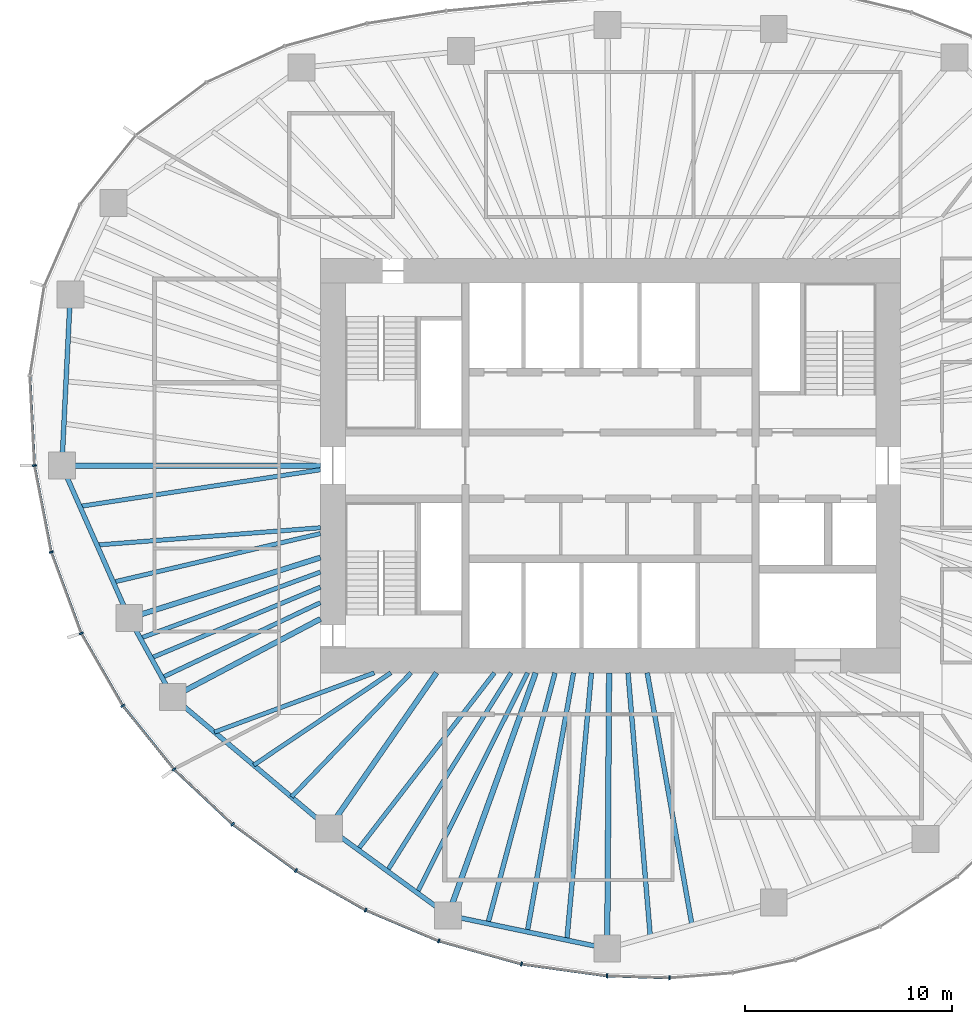
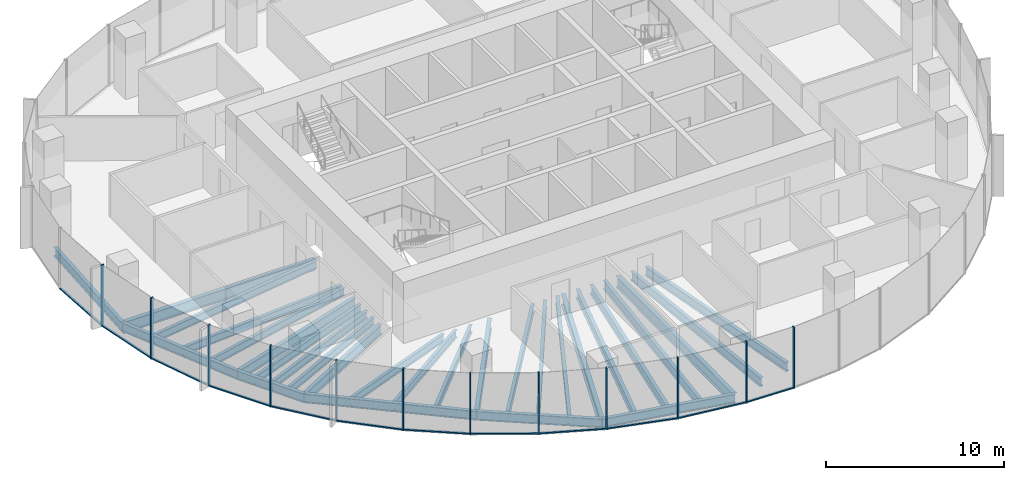
# One storey, part 2 of 12: 29 beams, 24 members, 7 elements without a shape of their own.
"""IFC4 building model written with IfcOpenShell, lengths in metres."""

from ifc_helpers import new_model, si_unit, direction, frame, origin, origin_2d, place, context, subcontext, project, spatial, rectangle, i_section, extrude, material, material_profile, profile_set, type_object, element, aggregate, save


model = new_model("IFC4")

# Units and contexts
model_context = context("Model", 3, precision=1e-05, world=origin(), true_north=direction((0.0, 1.0)))
body_context = subcontext(model_context, "Body", "Model", "MODEL_VIEW")
ifc_project = project(units=[si_unit("LENGTHUNIT", "METRE"), si_unit("AREAUNIT", "SQUARE_METRE"), si_unit("VOLUMEUNIT", "CUBIC_METRE"), si_unit("PLANEANGLEUNIT", "RADIAN"), si_unit("MASSUNIT", "GRAM", prefix="KILO")], contexts=[model_context])

# Site, building, storey
site_placement = place(None, origin())
site = spatial("IfcSite", under=ifc_project, at=site_placement, CompositionType="ELEMENT")
building_placement = place(site_placement, origin())
building = spatial("IfcBuilding", under=site, at=building_placement, Name="Ghaith Harvest Tower", CompositionType="ELEMENT")
storey_placement = place(building_placement, frame((0.0, 0.0, 228.39990234375)))
storey = spatial("IfcBuildingStorey", under=building, at=storey_placement, Name="L50", CompositionType="ELEMENT", Elevation=228.39990234375)

# Curtain wall, members
ifc_material_1 = material(Name="Black anodised aluminium and fritted glass", Category="aluminium")
curtain_wall_type = type_object("IfcCurtainWallType", Name="CW-H CURTAIN WALL", PredefinedType="NOTDEFINED", material=ifc_material_1)
curtain_wall_1_placement = place(storey_placement, origin())
curtain_wall_1 = element("IfcCurtainWall", 1, at=curtain_wall_1_placement, inside=storey, type_object=curtain_wall_type, Name="Curtain wall CW-H bay 11 L50", PredefinedType="NOTDEFINED")
ifc_material_2 = material(Name="Aluminium, black anodised", Category="aluminium")
ifc_material_profile_1 = material_profile(ifc_material_2, rectangle(XDim=0.080078125, YDim=0.199951171875, at=origin_2d()), Name="CW-H MULLION 80x200")
ifc_profile_set_1 = profile_set([ifc_material_profile_1], Name="Aluminium, black anodised")
member_type_1 = type_object("IfcMemberType", Name="CW-H MULLION 80x200", PredefinedType="MULLION", material=ifc_profile_set_1)
member_1_placement = place(storey_placement, frame((-27.794921875, 0.0, 0.0), z_axis=(0.0, 0.0, 1.0), x_axis=(0.12024996575, -0.992743645528, 0.0)))
member_1 = element("IfcMember", 2, at=member_1_placement, type_object=member_type_1, Name="CW-H mullion 1 bay 11 L50", PredefinedType="MULLION", context=body_context, shape_type="SweptSolid", body=[
    extrude(rectangle(XDim=0.080078125, YDim=0.199951171875, at=origin_2d()), origin(), (0.0, 0.0, 1.0), 4.2001953125),
])
member_2_placement = place(storey_placement, frame((-26.9853515625, -4.173828125, 0.0), z_axis=(0.0, 0.0, 1.0), x_axis=(0.268568830903, -0.963260495955, 0.0)))
member_2 = element("IfcMember", 3, at=member_2_placement, type_object=member_type_1, Name="CW-H mullion 2 bay 11 L50", PredefinedType="MULLION", context=body_context, shape_type="SweptSolid", body=[
    extrude(rectangle(XDim=0.080078125, YDim=0.199951171875, at=origin_2d()), origin(), (0.0, 0.0, 1.0), 4.2001953125),
])

curtain_wall_2_placement = place(storey_placement, origin())
curtain_wall_2 = element("IfcCurtainWall", 4, at=curtain_wall_2_placement, inside=storey, type_object=curtain_wall_type, Name="Curtain wall CW-H bay 12 L50", PredefinedType="NOTDEFINED")
member_3_placement = place(storey_placement, frame((-25.538330078125, -8.093505859375, 0.0), z_axis=(0.0, 0.0, 1.0), x_axis=(0.422308650185, -0.906452096903, 0.0)))
member_3 = element("IfcMember", 5, at=member_3_placement, type_object=member_type_1, Name="CW-H mullion 1 bay 12 L50", PredefinedType="MULLION", context=body_context, shape_type="SweptSolid", body=[
    extrude(rectangle(XDim=0.080078125, YDim=0.199951171875, at=origin_2d()), origin(), (0.0, 0.0, 1.0), 4.2001953125),
])
member_4_placement = place(storey_placement, frame((-23.533203125, -11.58349609375, 0.0), z_axis=(0.0, 0.0, 1.0), x_axis=(0.563616546013, -0.826036554312, 0.0)))
member_4 = element("IfcMember", 6, at=member_4_placement, type_object=member_type_1, Name="CW-H mullion 2 bay 12 L50", PredefinedType="MULLION", context=body_context, shape_type="SweptSolid", body=[
    extrude(rectangle(XDim=0.080078125, YDim=0.199951171875, at=origin_2d()), origin(), (0.0, 0.0, 1.0), 4.2001953125),
])

curtain_wall_3_placement = place(storey_placement, origin())
curtain_wall_3 = element("IfcCurtainWall", 7, at=curtain_wall_3_placement, inside=storey, type_object=curtain_wall_type, Name="Curtain wall CW-H bay 13 L50", PredefinedType="NOTDEFINED")
member_5_placement = place(storey_placement, frame((-21.0615234375, -14.65478515625, 0.0), z_axis=(0.0, 0.0, 1.0), x_axis=(0.679181589754, -0.733970277422, 0.0)))
member_5 = element("IfcMember", 8, at=member_5_placement, type_object=member_type_1, Name="CW-H mullion 1 bay 13 L50", PredefinedType="MULLION", context=body_context, shape_type="SweptSolid", body=[
    extrude(rectangle(XDim=0.080078125, YDim=0.199951171875, at=origin_2d()), origin(), (0.0, 0.0, 1.0), 4.2001953125),
])
member_6_placement = place(storey_placement, frame((-18.238037109375, -17.30615234375, 0.0), z_axis=(0.0, 0.0, 1.0), x_axis=(0.769216709506, -0.638987991919, 0.0)))
member_6 = element("IfcMember", 9, at=member_6_placement, type_object=member_type_1, Name="CW-H mullion 2 bay 13 L50", PredefinedType="MULLION", context=body_context, shape_type="SweptSolid", body=[
    extrude(rectangle(XDim=0.080078125, YDim=0.199951171875, at=origin_2d()), origin(), (0.0, 0.0, 1.0), 4.2001953125),
])

curtain_wall_4_placement = place(storey_placement, origin())
curtain_wall_4 = element("IfcCurtainWall", 10, at=curtain_wall_4_placement, inside=storey, type_object=curtain_wall_type, Name="Curtain wall CW-H bay 14 L50", PredefinedType="NOTDEFINED")
member_7_placement = place(storey_placement, frame((-15.177490234375, -19.542724609375, 0.0), z_axis=(0.0, 0.0, 1.0), x_axis=(0.840233591157, -0.5422245958, 0.0)))
member_7 = element("IfcMember", 11, at=member_7_placement, type_object=member_type_1, Name="CW-H mullion 1 bay 14 L50", PredefinedType="MULLION", context=body_context, shape_type="SweptSolid", body=[
    extrude(rectangle(XDim=0.080078125, YDim=0.199951171875, at=origin_2d()), origin(), (0.0, 0.0, 1.0), 4.2001953125),
])
member_8_placement = place(storey_placement, frame((-11.815185546875, -21.45068359375, 0.0), z_axis=(0.0, 0.0, 1.0), x_axis=(0.896852966189, -0.442328788389, 0.0)))
member_8 = element("IfcMember", 12, at=member_8_placement, type_object=member_type_1, Name="CW-H mullion 2 bay 14 L50", PredefinedType="MULLION", context=body_context, shape_type="SweptSolid", body=[
    extrude(rectangle(XDim=0.080078125, YDim=0.199951171875, at=origin_2d()), origin(), (0.0, 0.0, 1.0), 4.2001953125),
])

curtain_wall_5_placement = place(storey_placement, origin())
curtain_wall_5 = element("IfcCurtainWall", 13, at=curtain_wall_5_placement, inside=storey, type_object=curtain_wall_type, Name="Curtain wall CW-H bay 15 L50", PredefinedType="NOTDEFINED")
member_9_placement = place(storey_placement, frame((-8.285888671875, -22.941650390625, 0.0), z_axis=(0.0, 0.0, 1.0), x_axis=(0.944906041636, -0.327341675439, 0.0)))
member_9 = element("IfcMember", 14, at=member_9_placement, type_object=member_type_1, Name="CW-H mullion 1 bay 15 L50", PredefinedType="MULLION", context=body_context, shape_type="SweptSolid", body=[
    extrude(rectangle(XDim=0.080078125, YDim=0.199951171875, at=origin_2d()), origin(), (0.0, 0.0, 1.0), 4.2001953125),
])
member_10_placement = place(storey_placement, frame((-4.2958984375, -24.0556640625, 0.0), z_axis=(0.0, 0.0, 1.0), x_axis=(0.979161388311, -0.203083666601, 0.0)))
member_10 = element("IfcMember", 15, at=member_10_placement, type_object=member_type_1, Name="CW-H mullion 2 bay 15 L50", PredefinedType="MULLION", context=body_context, shape_type="SweptSolid", body=[
    extrude(rectangle(XDim=0.080078125, YDim=0.199951171875, at=origin_2d()), origin(), (0.0, 0.0, 1.0), 4.2001953125),
])

curtain_wall_6_placement = place(storey_placement, origin())
curtain_wall_6 = element("IfcCurtainWall", 16, at=curtain_wall_6_placement, inside=storey, type_object=curtain_wall_type, Name="Curtain wall CW-H bay 16 L50", PredefinedType="NOTDEFINED")
member_11_placement = place(storey_placement, frame((-0.16845703125, -24.625244140625, 0.0), z_axis=(0.0, 0.0, 1.0), x_axis=(0.99568459113, -0.092801912617, 0.0)))
member_11 = element("IfcMember", 17, at=member_11_placement, type_object=member_type_1, Name="CW-H mullion 1 bay 16 L50", PredefinedType="MULLION", context=body_context, shape_type="SweptSolid", body=[
    extrude(rectangle(XDim=0.080078125, YDim=0.199951171875, at=origin_2d()), origin(), (0.0, 0.0, 1.0), 4.2001953125),
])
member_12_placement = place(storey_placement, frame((2.84765625, -24.721435546875, 0.0), z_axis=(0.0, 0.0, 1.0), x_axis=(0.999724413906, 0.02347543907, 0.0)))
member_12 = element("IfcMember", 18, at=member_12_placement, type_object=member_type_1, Name="CW-H mullion 2 bay 16 L50", PredefinedType="MULLION", context=body_context, shape_type="SweptSolid", body=[
    extrude(rectangle(XDim=0.080078125, YDim=0.199951171875, at=origin_2d()), origin(), (0.0, 0.0, 1.0), 4.2001953125),
])

# Curtain wall, member
curtain_wall_7_placement = place(storey_placement, origin())
curtain_wall_7 = element("IfcCurtainWall", 19, at=curtain_wall_7_placement, inside=storey, type_object=curtain_wall_type, Name="Curtain wall CW-H bay 10 L50", PredefinedType="NOTDEFINED")
ifc_material_3 = material(Name="Aluminium, black anodised", Category="aluminium")
ifc_material_profile_2 = material_profile(ifc_material_3, rectangle(XDim=0.1298828125, YDim=0.080078125, at=origin_2d()), Name="CW-H TRANSOM 130x80")
ifc_profile_set_2 = profile_set([ifc_material_profile_2], Name="Aluminium, black anodised")
member_type_2 = type_object("IfcMemberType", Name="CW-H TRANSOM 130x80", PredefinedType="USERDEFINED", material=ifc_profile_set_2)
member_13_placement = place(storey_placement, frame((-28.013671875, 4.293212890625, 0.0400390625), z_axis=(0.05084969311, -0.998706317548, 0.0), x_axis=(0.998706317548, 0.05084969311, 0.0)))
member_13 = element("IfcMember", 20, at=member_13_placement, type_object=member_type_2, Name="CW-H transom 2 bay 10 L50", ObjectType="TRANSOM", PredefinedType="USERDEFINED", context=body_context, shape_type="SweptSolid", body=[
    extrude(rectangle(XDim=0.1298828125, YDim=0.080078125, at=origin_2d()), origin(), (0.0, 0.0, 1.0), 4.2587890625),
])
aggregate(curtain_wall_7, [member_13])

# Member
member_14_placement = place(storey_placement, frame((-27.787353515625, -0.039306640625, 0.0400390625), z_axis=(0.190440428338, -0.981698753821, 0.0), x_axis=(0.981698753821, 0.190440428338, 0.0)))
member_14 = element("IfcMember", 21, at=member_14_placement, type_object=member_type_2, Name="CW-H transom 1 bay 11 L50", ObjectType="TRANSOM", PredefinedType="USERDEFINED", context=body_context, shape_type="SweptSolid", body=[
    extrude(rectangle(XDim=0.1298828125, YDim=0.080078125, at=origin_2d()), origin(), (0.0, 0.0, 1.0), 4.171630859375),
])

member_15_placement = place(storey_placement, frame((-26.971435546875, -4.21142578125, 0.0400390625), z_axis=(0.346287782987, -0.93812833416, 0.0), x_axis=(0.93812833416, 0.346287782987, 0.0)))
member_15 = element("IfcMember", 22, at=member_15_placement, type_object=member_type_2, Name="CW-H transom 2 bay 11 L50", ObjectType="TRANSOM", PredefinedType="USERDEFINED", context=body_context, shape_type="SweptSolid", body=[
    extrude(rectangle(XDim=0.1298828125, YDim=0.080078125, at=origin_2d()), origin(), (0.0, 0.0, 1.0), 4.098388671875),
])

aggregate(curtain_wall_1, [member_1, member_14, member_2, member_15])

member_16_placement = place(storey_placement, frame((-25.5185546875, -8.128173828125, 0.0400390625), z_axis=(0.498176929488, -0.86707539864, 0.0), x_axis=(0.86707539864, 0.498176929488, 0.0)))
member_16 = element("IfcMember", 23, at=member_16_placement, type_object=member_type_2, Name="CW-H transom 1 bay 12 L50", ObjectType="TRANSOM", PredefinedType="USERDEFINED", context=body_context, shape_type="SweptSolid", body=[
    extrude(rectangle(XDim=0.1298828125, YDim=0.080078125, at=origin_2d()), origin(), (0.0, 0.0, 1.0), 3.945068359375),
])

member_17_placement = place(storey_placement, frame((-23.508056640625, -11.61474609375, 0.0400390625), z_axis=(0.626958878139, -0.779052350694, 0.0), x_axis=(0.779052350694, 0.626958878139, 0.0)))
member_17 = element("IfcMember", 24, at=member_17_placement, type_object=member_type_2, Name="CW-H transom 2 bay 12 L50", ObjectType="TRANSOM", PredefinedType="USERDEFINED", context=body_context, shape_type="SweptSolid", body=[
    extrude(rectangle(XDim=0.1298828125, YDim=0.080078125, at=origin_2d()), origin(), (0.0, 0.0, 1.0), 3.862060546875),
])

aggregate(curtain_wall_2, [member_3, member_16, member_4, member_17])

member_18_placement = place(storey_placement, frame((-21.032470703125, -14.68212890625, 0.0400390625), z_axis=(0.729025183709, -0.684486874613, 0.0), x_axis=(0.684486874613, 0.729025183709, 0.0)))
member_18 = element("IfcMember", 25, at=member_18_placement, type_object=member_type_2, Name="CW-H transom 1 bay 13 L50", ObjectType="TRANSOM", PredefinedType="USERDEFINED", context=body_context, shape_type="SweptSolid", body=[
    extrude(rectangle(XDim=0.1298828125, YDim=0.080078125, at=origin_2d()), origin(), (0.0, 0.0, 1.0), 3.793212890625),
])

member_19_placement = place(storey_placement, frame((-18.20556640625, -17.32958984375, 0.0400390625), z_axis=(0.807368217185, -0.590047931849, 0.0), x_axis=(0.590047931849, 0.807368217185, 0.0)))
member_19 = element("IfcMember", 26, at=member_19_placement, type_object=member_type_2, Name="CW-H transom 2 bay 13 L50", ObjectType="TRANSOM", PredefinedType="USERDEFINED", context=body_context, shape_type="SweptSolid", body=[
    extrude(rectangle(XDim=0.1298828125, YDim=0.080078125, at=origin_2d()), origin(), (0.0, 0.0, 1.0), 3.710693359375),
])

aggregate(curtain_wall_3, [member_5, member_18, member_6, member_19])

member_20_placement = place(storey_placement, frame((-15.142822265625, -19.5625, 0.0400390625), z_axis=(0.869735291487, -0.493518513068, 0.0), x_axis=(0.493518513068, 0.869735291487, 0.0)))
member_20 = element("IfcMember", 27, at=member_20_placement, type_object=member_type_2, Name="CW-H transom 1 bay 14 L50", ObjectType="TRANSOM", PredefinedType="USERDEFINED", context=body_context, shape_type="SweptSolid", body=[
    extrude(rectangle(XDim=0.1298828125, YDim=0.080078125, at=origin_2d()), origin(), (0.0, 0.0, 1.0), 3.785888671875),
])

member_21_placement = place(storey_placement, frame((-11.7783203125, -21.46630859375, 0.0400390625), z_axis=(0.921182691948, -0.38913037411, 0.0), x_axis=(0.38913037411, 0.921182691948, 0.0)))
member_21 = element("IfcMember", 28, at=member_21_placement, type_object=member_type_2, Name="CW-H transom 2 bay 14 L50", ObjectType="TRANSOM", PredefinedType="USERDEFINED", context=body_context, shape_type="SweptSolid", body=[
    extrude(rectangle(XDim=0.1298828125, YDim=0.080078125, at=origin_2d()), origin(), (0.0, 0.0, 1.0), 3.751220703125),
])

aggregate(curtain_wall_4, [member_7, member_20, member_8, member_21])

member_22_placement = place(storey_placement, frame((-8.24755859375, -22.952392578125, 0.0400390625), z_axis=(0.963164092269, -0.268914356932, 0.0), x_axis=(0.268914356932, 0.963164092269, 0.0)))
member_22 = element("IfcMember", 29, at=member_22_placement, type_object=member_type_2, Name="CW-H transom 1 bay 15 L50", ObjectType="TRANSOM", PredefinedType="USERDEFINED", context=body_context, shape_type="SweptSolid", body=[
    extrude(rectangle(XDim=0.1298828125, YDim=0.080078125, at=origin_2d()), origin(), (0.0, 0.0, 1.0), 4.062744140625),
])

member_23_placement = place(storey_placement, frame((-4.25634765625, -24.06103515625, 0.0400390625), z_axis=(0.990605228149, -0.136752630555, 0.0), x_axis=(0.136752630555, 0.990605228149, 0.0)))
member_23 = element("IfcMember", 30, at=member_23_placement, type_object=member_type_2, Name="CW-H transom 2 bay 15 L50", ObjectType="TRANSOM", PredefinedType="USERDEFINED", context=body_context, shape_type="SweptSolid", body=[
    extrude(rectangle(XDim=0.1298828125, YDim=0.080078125, at=origin_2d()), origin(), (0.0, 0.0, 1.0), 4.08642578125),
])

aggregate(curtain_wall_5, [member_9, member_22, member_10, member_23])

member_24_placement = place(storey_placement, frame((-0.128662109375, -24.62646484375, 0.0400390625), z_axis=(0.999490770233, -0.031909249731, 0.0), x_axis=(0.031909249731, 0.999490770233, 0.0)))
member_24 = element("IfcMember", 31, at=member_24_placement, type_object=member_type_2, Name="CW-H transom 1 bay 16 L50", ObjectType="TRANSOM", PredefinedType="USERDEFINED", context=body_context, shape_type="SweptSolid", body=[
    extrude(rectangle(XDim=0.1298828125, YDim=0.080078125, at=origin_2d()), origin(), (0.0, 0.0, 1.0), 2.93798828125),
])

aggregate(curtain_wall_6, [member_11, member_24, member_12])

# Beams
ifc_material_4 = material(Name="Steel ASTM A992 Grade 50", Category="steel")
ifc_material_profile_3 = material_profile(ifc_material_4, i_section(OverallWidth=0.22900390625, OverallDepth=0.612060546875, WebThickness=0.011962890625, FlangeThickness=0.01953125, at=origin_2d()), Name="W610X125")
ifc_profile_set_3 = profile_set([ifc_material_profile_3], Name="Steel ASTM A992 Grade 50")
beam_type_1 = type_object("IfcBeamType", Name="E610-125 W610X125", PredefinedType="SPANDREL", material=ifc_profile_set_3)
beam_1_placement = place(storey_placement, frame((-26.06689453125, 8.260986328125, -0.475830078125), z_axis=(-0.049353148492, -0.998781390863, 0.0), x_axis=(0.998781390863, -0.049353148492, 0.0)))
element("IfcBeam", 32, at=beam_1_placement, inside=storey, type_object=beam_type_1, Name="Edge beam E10 L50", PredefinedType="SPANDREL", context=body_context, shape_type="SweptSolid", body=[
    extrude(i_section(OverallWidth=0.22900390625, OverallDepth=0.612060546875, WebThickness=0.011962890625, FlangeThickness=0.01953125, at=origin_2d()), origin(), (0.0, 0.0, 1.0), 8.27099609375),
])
beam_2_placement = place(storey_placement, frame((-26.47509765625, 0.0, -0.475830078125), z_axis=(0.404042817399, -0.914740073304, 0.0), x_axis=(0.914740073304, 0.404042817399, 0.0)))
element("IfcBeam", 33, at=beam_2_placement, inside=storey, type_object=beam_type_1, Name="Edge beam E11 L50", PredefinedType="SPANDREL", context=body_context, shape_type="SweptSolid", body=[
    extrude(i_section(OverallWidth=0.22900390625, OverallDepth=0.612060546875, WebThickness=0.011962890625, FlangeThickness=0.01953125, at=origin_2d()), origin(), (0.0, 0.0, 1.0), 8.046142578125),
])
beam_3_placement = place(storey_placement, frame((-23.22412109375, -7.360107421875, -0.475830078125), z_axis=(0.482955575345, -0.875644855089, 0.0), x_axis=(0.875644855089, 0.482955575345, 0.0)))
element("IfcBeam", 34, at=beam_3_placement, inside=storey, type_object=beam_type_1, Name="Edge beam E12 L50", PredefinedType="SPANDREL", context=body_context, shape_type="SweptSolid", body=[
    extrude(i_section(OverallWidth=0.22900390625, OverallDepth=0.612060546875, WebThickness=0.011962890625, FlangeThickness=0.01953125, at=origin_2d()), origin(), (0.0, 0.0, 1.0), 4.346435546875),
])
beam_4_placement = place(storey_placement, frame((-21.125, -11.166015625, -0.475830078125), z_axis=(0.765021818761, -0.64400436087, 0.0), x_axis=(0.64400436087, 0.765021818761, 0.0)))
element("IfcBeam", 35, at=beam_4_placement, inside=storey, type_object=beam_type_1, Name="Edge beam E13 L50", PredefinedType="SPANDREL", context=body_context, shape_type="SweptSolid", body=[
    extrude(i_section(OverallWidth=0.22900390625, OverallDepth=0.612060546875, WebThickness=0.011962890625, FlangeThickness=0.01953125, at=origin_2d()), origin(), (0.0, 0.0, 1.0), 9.8427734375),
])
beam_5_placement = place(storey_placement, frame((-13.594970703125, -17.5048828125, -0.475830078125), z_axis=(0.808194782503, -0.588915268553, 0.0), x_axis=(0.588915268553, 0.808194782503, 0.0)))
element("IfcBeam", 36, at=beam_5_placement, inside=storey, type_object=beam_type_1, Name="Edge beam E14 L50", PredefinedType="SPANDREL", context=body_context, shape_type="SweptSolid", body=[
    extrude(i_section(OverallWidth=0.22900390625, OverallDepth=0.612060546875, WebThickness=0.011962890625, FlangeThickness=0.01953125, at=origin_2d()), origin(), (0.0, 0.0, 1.0), 7.123291015625),
])
beam_6_placement = place(storey_placement, frame((-7.837890625, -21.699951171875, -0.475830078125), z_axis=(0.978847910797, -0.20458926543, 0.0), x_axis=(0.20458926543, 0.978847910797, 0.0)))
element("IfcBeam", 37, at=beam_6_placement, inside=storey, type_object=beam_type_1, Name="Edge beam E15 L50", PredefinedType="SPANDREL", context=body_context, shape_type="SweptSolid", body=[
    extrude(i_section(OverallWidth=0.22900390625, OverallDepth=0.612060546875, WebThickness=0.011962890625, FlangeThickness=0.01953125, at=origin_2d()), origin(), (0.0, 0.0, 1.0), 7.844970703125),
])
ifc_material_5 = material(Name="Steel ASTM A992 Grade 50", Category="steel")
ifc_material_profile_4 = material_profile(ifc_material_5, i_section(OverallWidth=0.256103515625, OverallDepth=0.693115234375, WebThickness=0.014404296875, FlangeThickness=0.023681640625, at=origin_2d()), Name="W690X170")
ifc_profile_set_4 = profile_set([ifc_material_profile_4], Name="Steel ASTM A992 Grade 50")
beam_type_2 = type_object("IfcBeamType", Name="G690-170 W690X170", PredefinedType="BEAM", material=ifc_profile_set_4)
beam_7_placement = place(storey_placement, frame((-14.0, -4.43701171875, -0.516357421875), z_axis=(-0.953279028151, -0.302091202267, 0.0), x_axis=(0.302091202267, -0.953279028151, 0.0)))
element("IfcBeam", 38, at=beam_7_placement, inside=storey, type_object=beam_type_2, Name="Radial girder G12 L50", PredefinedType="BEAM", context=body_context, shape_type="SweptSolid", body=[
    extrude(i_section(OverallWidth=0.256103515625, OverallDepth=0.693115234375, WebThickness=0.014404296875, FlangeThickness=0.023681640625, at=origin_2d()), origin(), (0.0, 0.0, 1.0), 9.67626953125),
])
beam_8_placement = place(storey_placement, frame((-14.0, -7.39990234375, -0.516357421875), z_axis=(-0.88409279474, -0.46731138472, 0.0), x_axis=(0.46731138472, -0.88409279474, 0.0)))
element("IfcBeam", 39, at=beam_8_placement, inside=storey, type_object=beam_type_2, Name="Radial girder G13 L50", PredefinedType="BEAM", context=body_context, shape_type="SweptSolid", body=[
    extrude(i_section(OverallWidth=0.256103515625, OverallDepth=0.693115234375, WebThickness=0.014404296875, FlangeThickness=0.023681640625, at=origin_2d()), origin(), (0.0, 0.0, 1.0), 8.05908203125),
])
beam_9_placement = place(storey_placement, frame((-8.39990234375, -10.0, -0.516357421875), z_axis=(-0.569164078909, -0.822223966617, 0.0), x_axis=(0.822223966617, -0.569164078909, 0.0)))
element("IfcBeam", 40, at=beam_9_placement, inside=storey, type_object=beam_type_2, Name="Radial girder G14 L50", PredefinedType="BEAM", context=body_context, shape_type="SweptSolid", body=[
    extrude(i_section(OverallWidth=0.256103515625, OverallDepth=0.693115234375, WebThickness=0.014404296875, FlangeThickness=0.023681640625, at=origin_2d()), origin(), (0.0, 0.0, 1.0), 9.12744140625),
])
ifc_material_6 = material(Name="Steel ASTM A992 Grade 50", Category="steel")
ifc_material_profile_5 = material_profile(ifc_material_6, i_section(OverallWidth=0.26806640625, OverallDepth=0.77001953125, WebThickness=0.015625, FlangeThickness=0.025390625, at=origin_2d()), Name="W760X196")
ifc_profile_set_5 = profile_set([ifc_material_profile_5], Name="Steel ASTM A992 Grade 50")
beam_type_3 = type_object("IfcBeamType", Name="G760-196 W760X196", PredefinedType="BEAM", material=ifc_profile_set_5)
beam_10_placement = place(storey_placement, frame((-14.0, 0.0, -0.554931640625), z_axis=(-1.0, 0.0, 0.0), x_axis=(0.0, -1.0, 0.0)))
element("IfcBeam", 41, at=beam_10_placement, inside=storey, type_object=beam_type_3, Name="Radial girder G11 L50", PredefinedType="BEAM", context=body_context, shape_type="SweptSolid", body=[
    extrude(i_section(OverallWidth=0.26806640625, OverallDepth=0.77001953125, WebThickness=0.015625, FlangeThickness=0.025390625, at=origin_2d()), origin(), (0.0, 0.0, 1.0), 12.47509765625),
])
beam_11_placement = place(storey_placement, frame((-3.61181640625, -10.0, -0.554931640625), z_axis=(-0.339722108335, -0.940525857756, 0.0), x_axis=(0.940525857756, -0.339722108335, 0.0)))
element("IfcBeam", 42, at=beam_11_placement, inside=storey, type_object=beam_type_3, Name="Radial girder G15 L50", PredefinedType="BEAM", context=body_context, shape_type="SweptSolid", body=[
    extrude(i_section(OverallWidth=0.26806640625, OverallDepth=0.77001953125, WebThickness=0.015625, FlangeThickness=0.025390625, at=origin_2d()), origin(), (0.0, 0.0, 1.0), 12.439697265625),
])
beam_12_placement = place(storey_placement, frame((-0.068359375, -10.0, -0.554931640625), z_axis=(-0.00680755644, -0.999976828319, 0.0), x_axis=(0.999976828319, -0.00680755644, 0.0)))
element("IfcBeam", 43, at=beam_12_placement, inside=storey, type_object=beam_type_3, Name="Radial girder G16 L50", PredefinedType="BEAM", context=body_context, shape_type="SweptSolid", body=[
    extrude(i_section(OverallWidth=0.26806640625, OverallDepth=0.77001953125, WebThickness=0.015625, FlangeThickness=0.025390625, at=origin_2d()), origin(), (0.0, 0.0, 1.0), 13.30517578125),
])
ifc_material_7 = material(Name="Steel ASTM A992 Grade 50", Category="steel")
ifc_material_profile_6 = material_profile(ifc_material_7, i_section(OverallWidth=0.2109375, OverallDepth=0.5390625, WebThickness=0.01171875, FlangeThickness=0.018798828125, at=origin_2d()), Name="W530X109")
ifc_profile_set_6 = profile_set([ifc_material_profile_6], Name="Steel ASTM A992 Grade 50")
beam_type_4 = type_object("IfcBeamType", Name="J530-109 W530X109", PredefinedType="JOIST", material=ifc_profile_set_6)
beam_13_placement = place(storey_placement, frame((-14.0, -0.199951171875, -0.439453125), z_axis=(-0.988587077715, -0.150650555178, 0.0), x_axis=(0.150650555178, -0.988587077715, 0.0)))
element("IfcBeam", 44, at=beam_13_placement, inside=storey, type_object=beam_type_4, Name="Joist J11.1 L50", PredefinedType="JOIST", context=body_context, shape_type="SweptSolid", body=[
    extrude(i_section(OverallWidth=0.2109375, OverallDepth=0.5390625, WebThickness=0.01171875, FlangeThickness=0.018798828125, at=origin_2d()), origin(), (0.0, 0.0, 1.0), 11.739501953125),
])
beam_14_placement = place(storey_placement, frame((-14.0, -3.0, -0.439453125), z_axis=(-0.997028799301, -0.077029691443, 0.0), x_axis=(0.077029691443, -0.997028799301, 0.0)))
element("IfcBeam", 45, at=beam_14_placement, inside=storey, type_object=beam_type_4, Name="Joist J11.2 L50", PredefinedType="JOIST", context=body_context, shape_type="SweptSolid", body=[
    extrude(i_section(OverallWidth=0.2109375, OverallDepth=0.5390625, WebThickness=0.01171875, FlangeThickness=0.018798828125, at=origin_2d()), origin(), (0.0, 0.0, 1.0), 10.814208984375),
])
beam_15_placement = place(storey_placement, frame((-14.0, -3.280517578125, -0.439453125), z_axis=(-0.97362176086, -0.22816806696, 0.0), x_axis=(0.22816806696, -0.97362176086, 0.0)))
element("IfcBeam", 46, at=beam_15_placement, inside=storey, type_object=beam_type_4, Name="Joist J11.3 L50", PredefinedType="JOIST", context=body_context, shape_type="SweptSolid", body=[
    extrude(i_section(OverallWidth=0.2109375, OverallDepth=0.5390625, WebThickness=0.01171875, FlangeThickness=0.018798828125, at=origin_2d()), origin(), (0.0, 0.0, 1.0), 10.262451171875),
])
beam_16_placement = place(storey_placement, frame((-5.60009765625, -10.0, -0.439453125), z_axis=(-0.611412687895, -0.791311901264, 0.0), x_axis=(0.791311901264, -0.611412687895, 0.0)))
element("IfcBeam", 47, at=beam_16_placement, inside=storey, type_object=beam_type_4, Name="Joist J14.1 L50", PredefinedType="JOIST", context=body_context, shape_type="SweptSolid", body=[
    extrude(i_section(OverallWidth=0.2109375, OverallDepth=0.5390625, WebThickness=0.01171875, FlangeThickness=0.018798828125, at=origin_2d()), origin(), (0.0, 0.0, 1.0), 10.778076171875),
])
beam_17_placement = place(storey_placement, frame((-4.800048828125, -10.0, -0.439453125), z_axis=(-0.529921073682, -0.848046965484, 0.0), x_axis=(0.848046965484, -0.529921073682, 0.0)))
element("IfcBeam", 48, at=beam_17_placement, inside=storey, type_object=beam_type_4, Name="Joist J14.2 L50", PredefinedType="JOIST", context=body_context, shape_type="SweptSolid", body=[
    extrude(i_section(OverallWidth=0.2109375, OverallDepth=0.5390625, WebThickness=0.01171875, FlangeThickness=0.018798828125, at=origin_2d()), origin(), (0.0, 0.0, 1.0), 11.273681640625),
])
beam_18_placement = place(storey_placement, frame((-4.0, -10.0, -0.439453125), z_axis=(-0.448791718068, -0.893636387908, 0.0), x_axis=(0.893636387908, -0.448791718068, 0.0)))
element("IfcBeam", 49, at=beam_18_placement, inside=storey, type_object=beam_type_4, Name="Joist J14.3 L50", PredefinedType="JOIST", context=body_context, shape_type="SweptSolid", body=[
    extrude(i_section(OverallWidth=0.2109375, OverallDepth=0.5390625, WebThickness=0.01171875, FlangeThickness=0.018798828125, at=origin_2d()), origin(), (0.0, 0.0, 1.0), 11.8759765625),
])
ifc_material_8 = material(Name="Steel ASTM A992 Grade 50", Category="steel")
ifc_material_profile_7 = material_profile(ifc_material_8, i_section(OverallWidth=0.208984375, OverallDepth=0.532958984375, WebThickness=0.01025390625, FlangeThickness=0.015625, at=origin_2d()), Name="W530X92")
ifc_profile_set_7 = profile_set([ifc_material_profile_7], Name="Steel ASTM A992 Grade 50")
beam_type_5 = type_object("IfcBeamType", Name="J530-92 W530X92", PredefinedType="JOIST", material=ifc_profile_set_7)
beam_19_placement = place(storey_placement, frame((-14.0, -5.137939453125, -0.4365234375), z_axis=(-0.93877284801, -0.34453670318, 0.0), x_axis=(0.34453670318, -0.93877284801, 0.0)))
element("IfcBeam", 50, at=beam_19_placement, inside=storey, type_object=beam_type_5, Name="Joist J12.1 L50", PredefinedType="JOIST", context=body_context, shape_type="SweptSolid", body=[
    extrude(i_section(OverallWidth=0.208984375, OverallDepth=0.532958984375, WebThickness=0.01025390625, FlangeThickness=0.015625, at=origin_2d()), origin(), (0.0, 0.0, 1.0), 9.25732421875),
])
beam_20_placement = place(storey_placement, frame((-14.0, -5.862548828125, -0.4365234375), z_axis=(-0.922387515293, -0.386265804377, 0.0), x_axis=(0.386265804377, -0.922387515293, 0.0)))
element("IfcBeam", 51, at=beam_20_placement, inside=storey, type_object=beam_type_5, Name="Joist J12.2 L50", PredefinedType="JOIST", context=body_context, shape_type="SweptSolid", body=[
    extrude(i_section(OverallWidth=0.208984375, OverallDepth=0.532958984375, WebThickness=0.01025390625, FlangeThickness=0.015625, at=origin_2d()), origin(), (0.0, 0.0, 1.0), 8.851318359375),
])
beam_21_placement = place(storey_placement, frame((-14.0, -6.614990234375, -0.4365234375), z_axis=(-0.90415786724, -0.427198491462, 0.0), x_axis=(0.427198491462, -0.90415786724, 0.0)))
element("IfcBeam", 52, at=beam_21_placement, inside=storey, type_object=beam_type_5, Name="Joist J12.3 L50", PredefinedType="JOIST", context=body_context, shape_type="SweptSolid", body=[
    extrude(i_section(OverallWidth=0.208984375, OverallDepth=0.532958984375, WebThickness=0.01025390625, FlangeThickness=0.015625, at=origin_2d()), origin(), (0.0, 0.0, 1.0), 8.45361328125),
])
beam_22_placement = place(storey_placement, frame((-11.39990234375, -10.0, -0.4365234375), z_axis=(-0.937594001899, -0.34773191916, 0.0), x_axis=(0.34773191916, -0.937594001899, 0.0)))
element("IfcBeam", 53, at=beam_22_placement, inside=storey, type_object=beam_type_5, Name="Joist J13.1 L50", PredefinedType="JOIST", context=body_context, shape_type="SweptSolid", body=[
    extrude(i_section(OverallWidth=0.208984375, OverallDepth=0.532958984375, WebThickness=0.01025390625, FlangeThickness=0.015625, at=origin_2d()), origin(), (0.0, 0.0, 1.0), 8.225830078125),
])
beam_23_placement = place(storey_placement, frame((-10.60009765625, -10.0, -0.4365234375), z_axis=(-0.829594017544, -0.55836705316, 0.0), x_axis=(0.55836705316, -0.829594017544, 0.0)))
element("IfcBeam", 54, at=beam_23_placement, inside=storey, type_object=beam_type_5, Name="Joist J13.2 L50", PredefinedType="JOIST", context=body_context, shape_type="SweptSolid", body=[
    extrude(i_section(OverallWidth=0.208984375, OverallDepth=0.532958984375, WebThickness=0.01025390625, FlangeThickness=0.015625, at=origin_2d()), origin(), (0.0, 0.0, 1.0), 7.977783203125),
])
beam_24_placement = place(storey_placement, frame((-9.626708984375, -10.0, -0.4365234375), z_axis=(-0.693546892509, -0.720411485119, 0.0), x_axis=(0.720411485119, -0.693546892509, 0.0)))
element("IfcBeam", 55, at=beam_24_placement, inside=storey, type_object=beam_type_5, Name="Joist J13.3 L50", PredefinedType="JOIST", context=body_context, shape_type="SweptSolid", body=[
    extrude(i_section(OverallWidth=0.208984375, OverallDepth=0.532958984375, WebThickness=0.01025390625, FlangeThickness=0.015625, at=origin_2d()), origin(), (0.0, 0.0, 1.0), 8.3154296875),
])
ifc_material_9 = material(Name="Steel ASTM A992 Grade 50", Category="steel")
ifc_material_profile_8 = material_profile(ifc_material_9, i_section(OverallWidth=0.22900390625, OverallDepth=0.612060546875, WebThickness=0.011962890625, FlangeThickness=0.01953125, at=origin_2d()), Name="W610X125")
ifc_profile_set_8 = profile_set([ifc_material_profile_8], Name="Steel ASTM A992 Grade 50")
beam_type_6 = type_object("IfcBeamType", Name="J610-125 W610X125", PredefinedType="JOIST", material=ifc_profile_set_8)
beam_25_placement = place(storey_placement, frame((-2.677978515625, -10.0, -0.475830078125), z_axis=(-0.258683807585, -0.965962052926, 0.0), x_axis=(0.965962052926, -0.258683807585, 0.0)))
element("IfcBeam", 56, at=beam_25_placement, inside=storey, type_object=beam_type_6, Name="Joist J15.1 L50", PredefinedType="JOIST", context=body_context, shape_type="SweptSolid", body=[
    extrude(i_section(OverallWidth=0.22900390625, OverallDepth=0.612060546875, WebThickness=0.011962890625, FlangeThickness=0.01953125, at=origin_2d()), origin(), (0.0, 0.0, 1.0), 12.52783203125),
])
beam_26_placement = place(storey_placement, frame((-1.785888671875, -10.0, -0.475830078125), z_axis=(-0.17579463172, -0.984426862422, 0.0), x_axis=(0.984426862422, -0.17579463172, 0.0)))
element("IfcBeam", 57, at=beam_26_placement, inside=storey, type_object=beam_type_6, Name="Joist J15.2 L50", PredefinedType="JOIST", context=body_context, shape_type="SweptSolid", body=[
    extrude(i_section(OverallWidth=0.22900390625, OverallDepth=0.612060546875, WebThickness=0.011962890625, FlangeThickness=0.01953125, at=origin_2d()), origin(), (0.0, 0.0, 1.0), 12.6962890625),
])
beam_27_placement = place(storey_placement, frame((-0.92041015625, -10.0, -0.475830078125), z_axis=(-0.091645483251, -0.995791697796, 0.0), x_axis=(0.995791697796, -0.091645483251, 0.0)))
element("IfcBeam", 58, at=beam_27_placement, inside=storey, type_object=beam_type_6, Name="Joist J15.3 L50", PredefinedType="JOIST", context=body_context, shape_type="SweptSolid", body=[
    extrude(i_section(OverallWidth=0.22900390625, OverallDepth=0.612060546875, WebThickness=0.011962890625, FlangeThickness=0.01953125, at=origin_2d()), origin(), (0.0, 0.0, 1.0), 12.9521484375),
])
beam_28_placement = place(storey_placement, frame((0.844970703125, -10.0, -0.475830078125), z_axis=(0.084217590158, -0.996447388229, 0.0), x_axis=(0.996447388229, 0.084217590158, 0.0)))
element("IfcBeam", 59, at=beam_28_placement, inside=storey, type_object=beam_type_6, Name="Joist J16.1 L50", PredefinedType="JOIST", context=body_context, shape_type="SweptSolid", body=[
    extrude(i_section(OverallWidth=0.22900390625, OverallDepth=0.612060546875, WebThickness=0.011962890625, FlangeThickness=0.01953125, at=origin_2d()), origin(), (0.0, 0.0, 1.0), 12.772705078125),
])
beam_29_placement = place(storey_placement, frame((1.772705078125, -10.0, -0.475830078125), z_axis=(0.174551600477, -0.984648027861, 0.0), x_axis=(0.984648027861, 0.174551600477, 0.0)))
element("IfcBeam", 60, at=beam_29_placement, inside=storey, type_object=beam_type_6, Name="Joist J16.2 L50", PredefinedType="JOIST", context=body_context, shape_type="SweptSolid", body=[
    extrude(i_section(OverallWidth=0.22900390625, OverallDepth=0.612060546875, WebThickness=0.011962890625, FlangeThickness=0.01953125, at=origin_2d()), origin(), (0.0, 0.0, 1.0), 12.358642578125),
])

save(model, "model.ifc")
